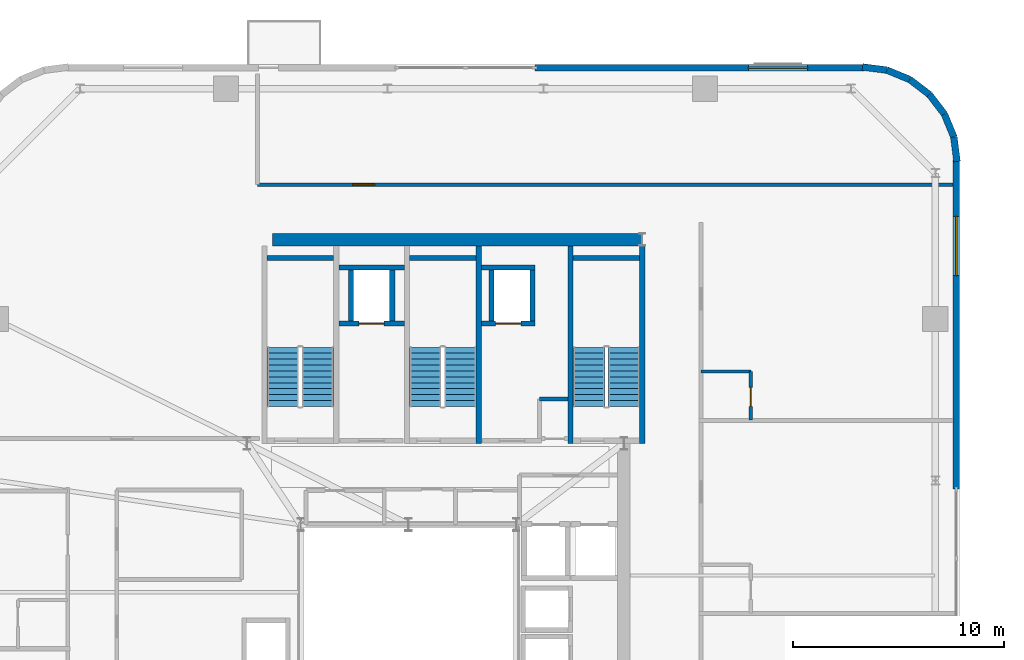
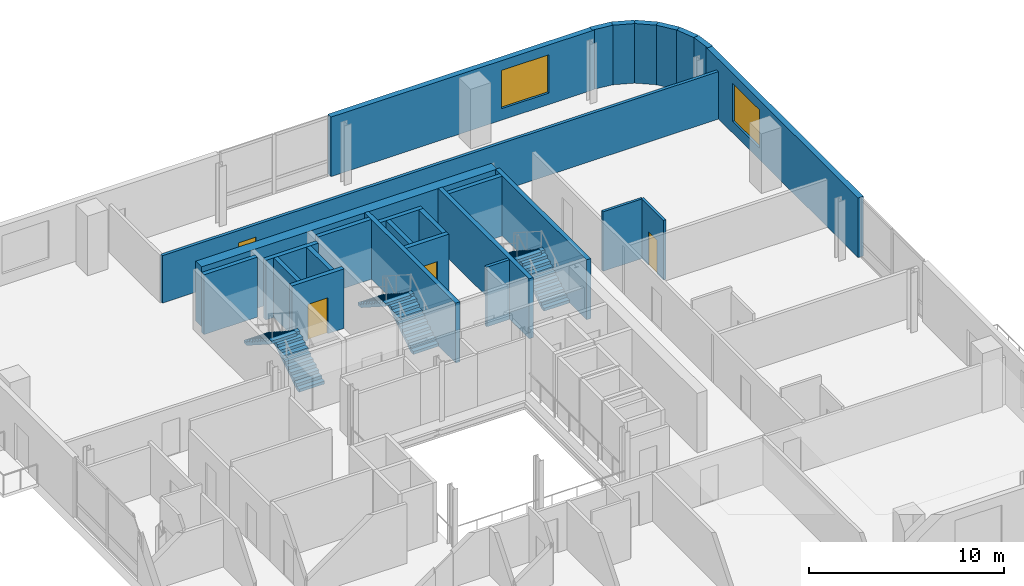
# One storey, part 11 of 15: 27 walls, 6 stair flights, 4 doors, 2 windows, 6 openings, 3 elements without a shape of their own.
"""IFC4 building model written with IfcOpenShell, lengths in metres."""

from ifc_helpers import new_model, si_unit, direction, frame, frame_2d, origin, place, context, subcontext, project, spatial, polyline, rectangle, outline, extrude, source, transform, mapped, material, layer, layer_set, type_object, element, fill, aggregate, save


model = new_model("IFC4")

# Units and contexts
model_context = context("Model", 3, precision=1e-05, world=origin(), true_north=direction((0.0, 1.0)))
body_context = subcontext(model_context, "Body", "Model", "MODEL_VIEW")
ifc_project = project(units=[si_unit("LENGTHUNIT", "METRE"), si_unit("AREAUNIT", "SQUARE_METRE"), si_unit("VOLUMEUNIT", "CUBIC_METRE"), si_unit("PLANEANGLEUNIT", "RADIAN"), si_unit("MASSUNIT", "GRAM", prefix="KILO")], contexts=[model_context])

# Site, building, storey
site_placement = place(None, origin())
site = spatial("IfcSite", under=ifc_project, at=site_placement, CompositionType="ELEMENT")
building_placement = place(site_placement, origin())
building = spatial("IfcBuilding", under=site, at=building_placement, Name="Vardaveli Station Tower", CompositionType="ELEMENT")
storey_placement = place(building_placement, frame((0.0, 0.0, 242.699951171875)))
storey = spatial("IfcBuildingStorey", under=building, at=storey_placement, Name="L62", CompositionType="ELEMENT", Elevation=242.699951171875)

# Wall
ifc_material_1 = material(Name="Concrete C50/60", Category="concrete")
ifc_layer_1 = layer(ifc_material_1, 0.60009765625, Name="Concrete C50/60")
ifc_layer_set_1 = layer_set([ifc_layer_1], Name="Concrete C50/60")
wall_type_1 = type_object("IfcWallType", Name="WAL-CORE-600", PredefinedType="SHEAR", material=ifc_layer_set_1)
shared_shape_1 = source(origin(), body_context, "Body", "SweptSolid", [
    extrude(rectangle(XDim=17.52001953125, YDim=0.60009765625, at=frame_2d((8.760009765625, 0.0))), origin(), (0.0, 0.0, 1.0), 3.72998046875),
])
wall_1_placement = place(storey_placement, frame((29.85009765625, 40.300048828125, 0.0), z_axis=(0.0, 0.0, 1.0), x_axis=(1.0, 0.0, 0.0)))
element("IfcWall", 1, at=wall_1_placement, inside=storey, type_object=wall_type_1, Name="SW-L62-NORTH", PredefinedType="SHEAR", context=body_context, shape_type="MappedRepresentation", body=[
    mapped(shared_shape_1, transform((0.0, 0.0, 0.0), scale=1.0)),
])

# Wall, opening, window
ifc_material_2 = material(Name="Precast concrete C45/55", Category="concrete")
ifc_layer_2 = layer(ifc_material_2, 0.320068359375, Name="Precast concrete C45/55")
ifc_layer_set_2 = layer_set([ifc_layer_2], Name="Precast concrete C45/55")
wall_type_2 = type_object("IfcWallType", Name="WAL-EXT-STONE-320", PredefinedType="SOLIDWALL", material=ifc_layer_set_2)
shared_shape_2 = source(origin(), body_context, "Body", "SweptSolid", [
    extrude(rectangle(XDim=15.599853515625, YDim=0.320068359375, at=frame_2d((7.7998046875, 0.0))), origin(), (0.0, 0.0, 1.0), 3.72998046875),
])
wall_2_placement = place(storey_placement, frame((57.89990234375, 48.43994140625, 0.0), z_axis=(0.0, 0.0, 1.0), x_axis=(-1.0, 0.0, 0.0)))
wall_2 = element("IfcWall", 2, at=wall_2_placement, inside=storey, type_object=wall_type_2, Name="EW-L62-N1", PredefinedType="SOLIDWALL", context=body_context, shape_type="MappedRepresentation", body=[
    mapped(shared_shape_2, transform((0.0, 0.0, 0.0), scale=1.0)),
])
shared_shape_3 = source(origin(), body_context, "Body", "SweptSolid", [
    extrude(rectangle(XDim=2.800048828125, YDim=2.39990234375, at=frame_2d((1.39990234375, 1.199951171875))), frame((0.0, 0.169921875, 0.0), z_axis=(0.0, -1.0, 0.0), x_axis=(1.0, 0.0, 0.0)), (0.0, 0.0, 1.0), 0.340087890625),
])
opening_1_placement = place(wall_2_placement, frame((2.705078125, 0.0, 0.719970703125)))
opening_1 = element("IfcOpeningElement", 3, at=opening_1_placement, cuts=wall_2, Name="Opening W-04", PredefinedType="OPENING", context=body_context, shape_type="MappedRepresentation", body=[
    mapped(shared_shape_3, transform((0.0, 0.0, 0.0), scale=1.0)),
])
ifc_material_3 = material(Name="Low-E solar-control glass", Category="glass")
window_type = type_object("IfcWindowType", Name="WIN-SUITE-2800x2400", PartitioningType="SINGLE_PANEL", PredefinedType="WINDOW", material=ifc_material_3)
shared_shape_4 = source(origin(), body_context, "Body", "SweptSolid", [
    extrude(rectangle(XDim=2.800048828125, YDim=2.39990234375, at=frame_2d((1.39990234375, 1.199951171875))), frame((0.0, 0.030029296875, 0.0), z_axis=(0.0, -1.0, 0.0), x_axis=(1.0, 0.0, 0.0)), (0.0, 0.0, 1.0), 0.06005859375),
])
window_1_placement = place(opening_1_placement, origin())
window_1 = element("IfcWindow", 4, at=window_1_placement, inside=storey, type_object=window_type, Name="WN-L62-N1", OverallHeight=2.39990234375, OverallWidth=2.800048828125, PartitioningType="SINGLE_PANEL", PredefinedType="WINDOW", context=body_context, shape_type="MappedRepresentation", body=[
    mapped(shared_shape_4, transform((0.0, 0.0, 0.0), scale=1.0)),
])
fill(opening_1, window_1)

shared_shape_5 = source(origin(), body_context, "Body", "SweptSolid", [
    extrude(rectangle(XDim=15.60009765625, YDim=0.320068359375, at=frame_2d((7.800048828125, 0.0))), origin(), (0.0, 0.0, 1.0), 3.72998046875),
])
wall_3_placement = place(storey_placement, frame((62.239990234375, 28.5, 0.0), z_axis=(0.0, 0.0, 1.0), x_axis=(0.0, 1.0, 0.0)))
wall_3 = element("IfcWall", 5, at=wall_3_placement, inside=storey, type_object=wall_type_2, Name="EW-L62-E2", PredefinedType="SOLIDWALL", context=body_context, shape_type="MappedRepresentation", body=[
    mapped(shared_shape_5, transform((0.0, 0.0, 0.0), scale=1.0)),
])
opening_2_placement = place(wall_3_placement, frame((10.094970703125, 0.0, 0.719970703125)))
opening_2 = element("IfcOpeningElement", 6, at=opening_2_placement, cuts=wall_3, Name="Opening W-04", PredefinedType="OPENING", context=body_context, shape_type="MappedRepresentation", body=[
    mapped(shared_shape_3, transform((0.0, 0.0, 0.0), scale=1.0)),
])
window_2_placement = place(opening_2_placement, origin())
window_2 = element("IfcWindow", 7, at=window_2_placement, inside=storey, type_object=window_type, Name="WN-L62-E2", OverallHeight=2.39990234375, OverallWidth=2.800048828125, PartitioningType="SINGLE_PANEL", PredefinedType="WINDOW", context=body_context, shape_type="MappedRepresentation", body=[
    mapped(shared_shape_4, transform((0.0, 0.0, 0.0), scale=1.0)),
])
fill(opening_2, window_2)

# Walls
shared_shape_6 = source(origin(), body_context, "Body", "SweptSolid", [
    extrude(rectangle(XDim=1.1689453125, YDim=0.320068359375, at=frame_2d((0.58447265625, 0.0))), origin(), (0.0, 0.0, 1.0), 3.72998046875),
])
wall_4_placement = place(storey_placement, frame((61.679931640625, 46.2412109375, 0.0), z_axis=(0.0, 0.0, 1.0), x_axis=(-0.608387696831, 0.793639975269, 0.0)))
element("IfcWall", 8, at=wall_4_placement, inside=storey, type_object=wall_type_2, Name="EW-L62-CR3-3", PredefinedType="SOLIDWALL", context=body_context, shape_type="MappedRepresentation", body=[
    mapped(shared_shape_6, transform((0.0, 0.0, 0.0), scale=1.0)),
])
shared_shape_7 = source(origin(), body_context, "Body", "SweptSolid", [
    extrude(rectangle(XDim=1.168701171875, YDim=0.320068359375, at=frame_2d((0.58447265625, 0.0))), origin(), (0.0, 0.0, 1.0), 3.72998046875),
])
wall_5_placement = place(storey_placement, frame((60.96875, 47.1689453125, 0.0), z_axis=(0.0, 0.0, 1.0), x_axis=(-0.793663520347, 0.608356981114, 0.0)))
element("IfcWall", 9, at=wall_5_placement, inside=storey, type_object=wall_type_2, Name="EW-L62-CR3-4", PredefinedType="SOLIDWALL", context=body_context, shape_type="MappedRepresentation", body=[
    mapped(shared_shape_7, transform((0.0, 0.0, 0.0), scale=1.0)),
])
shared_shape_8 = source(origin(), body_context, "Body", "SweptSolid", [
    extrude(rectangle(XDim=1.17041015625, YDim=0.320068359375, at=frame_2d((0.585205078125, 0.0))), origin(), (0.0, 0.0, 1.0), 3.72998046875),
])
for number, where, z_axis, x_axis, name in (
    (10, (62.275634765625, 43.99951171875, 0.0), (0.0, 0.0, 1.0), (-0.128295670475, 0.991735963317, 0.0), "EW-L62-CR3-1"),
    (11, (58.960205078125, 48.325439453125, 0.0), (0.0, 0.0, 1.0), (-0.991735963317, 0.128295670475, 0.0), "EW-L62-CR3-6"),
):
    element("IfcWall", number, at=place(storey_placement, frame(where, z_axis=z_axis, x_axis=x_axis)), inside=storey, type_object=wall_type_2, Name=name, PredefinedType="SOLIDWALL", context=body_context, shape_type="MappedRepresentation", body=[
        mapped(shared_shape_8, transform((0.0, 0.0, 0.0), scale=1.0)),
    ])
shared_shape_9 = source(origin(), body_context, "Body", "SweptSolid", [
    extrude(rectangle(XDim=1.169189453125, YDim=0.320068359375, at=frame_2d((0.58447265625, 0.0))), origin(), (0.0, 0.0, 1.0), 3.72998046875),
])
for number, where, z_axis, x_axis, name in (
    (12, (62.12548828125, 45.16015625, 0.0), (0.0, 0.0, 1.0), (-0.381054331552, 0.924552646638, 0.0), "EW-L62-CR3-2"),
    (13, (60.041259765625, 47.8798828125, 0.0), (0.0, 0.0, 1.0), (-0.924552646638, 0.381054331552, 0.0), "EW-L62-CR3-5"),
):
    element("IfcWall", number, at=place(storey_placement, frame(where, z_axis=z_axis, x_axis=x_axis)), inside=storey, type_object=wall_type_2, Name=name, PredefinedType="SOLIDWALL", context=body_context, shape_type="MappedRepresentation", body=[
        mapped(shared_shape_9, transform((0.0, 0.0, 0.0), scale=1.0)),
    ])
ifc_material_4 = material(Name="Concrete C40/50", Category="concrete")
ifc_layer_3 = layer(ifc_material_4, 0.25, Name="Concrete C40/50")
ifc_layer_set_3 = layer_set([ifc_layer_3], Name="Concrete C40/50")
wall_type_3 = type_object("IfcWallType", Name="WAL-SHAFT-250", PredefinedType="SOLIDWALL", material=ifc_layer_set_3)
shared_shape_10 = source(origin(), body_context, "Body", "SweptSolid", [
    extrude(rectangle(XDim=9.35009765625, YDim=0.25, at=frame_2d((4.675048828125, 0.0))), origin(), (0.0, 0.0, 1.0), 3.75),
])
for number, where, z_axis, x_axis, name in (
    (14, (39.625, 30.64990234375, 0.0), (0.0, 0.0, 1.0), (0.0, 1.0, 0.0), "W-L62-ST-2E"),
    (15, (43.97509765625, 30.64990234375, 0.0), (0.0, 0.0, 1.0), (0.0, 1.0, 0.0), "W-L62-ST-3W"),
    (16, (47.375, 30.64990234375, 0.0), (0.0, 0.0, 1.0), (0.0, 1.0, 0.0), "W-L62-ST-3E"),
):
    element("IfcWall", number, at=place(storey_placement, frame(where, z_axis=z_axis, x_axis=x_axis)), inside=storey, type_object=wall_type_3, Name=name, PredefinedType="SOLIDWALL", context=body_context, shape_type="MappedRepresentation", body=[
        mapped(shared_shape_10, transform((0.0, 0.0, 0.0), scale=1.0)),
    ])
shared_shape_11 = source(origin(), body_context, "Body", "SweptSolid", [
    extrude(rectangle(XDim=3.14990234375, YDim=0.25, at=frame_2d((1.574951171875, 0.0))), origin(), (0.0, 0.0, 1.0), 3.75),
])
for number, where, z_axis, x_axis, name in (
    (17, (29.60009765625, 39.425048828125, 0.0), (0.0, 0.0, 1.0), (1.0, 0.0, 0.0), "W-L62-ST-1N"),
    (18, (36.35009765625, 39.425048828125, 0.0), (0.0, 0.0, 1.0), (1.0, 0.0, 0.0), "W-L62-ST-2N"),
    (19, (44.10009765625, 39.425048828125, 0.0), (0.0, 0.0, 1.0), (1.0, 0.0, 0.0), "W-L62-ST-3N"),
):
    element("IfcWall", number, at=place(storey_placement, frame(where, z_axis=z_axis, x_axis=x_axis)), inside=storey, type_object=wall_type_3, Name=name, PredefinedType="SOLIDWALL", context=body_context, shape_type="MappedRepresentation", body=[
        mapped(shared_shape_11, transform((0.0, 0.0, 0.0), scale=1.0)),
    ])

# Wall, opening, door
shared_shape_12 = source(origin(), body_context, "Body", "SweptSolid", [
    extrude(rectangle(XDim=3.10009765625, YDim=0.25, at=frame_2d((1.550048828125, 0.0))), origin(), (0.0, 0.0, 1.0), 3.72998046875),
])
wall_6_placement = place(storey_placement, frame((33.0, 36.324951171875, 0.0), z_axis=(0.0, 0.0, 1.0), x_axis=(1.0, 0.0, 0.0)))
wall_6 = element("IfcWall", 20, at=wall_6_placement, inside=storey, type_object=wall_type_3, Name="SHW-FFL-01-L62-S", PredefinedType="SOLIDWALL", context=body_context, shape_type="MappedRepresentation", body=[
    mapped(shared_shape_12, transform((0.0, 0.0, 0.0), scale=1.0)),
])
shared_shape_13 = source(origin(), body_context, "Body", "SweptSolid", [
    extrude(rectangle(XDim=1.199951171875, YDim=2.25, at=frame_2d((0.60009765625, 1.125))), frame((0.0, 0.135009765625, 0.0), z_axis=(0.0, -1.0, 0.0), x_axis=(1.0, 0.0, 0.0)), (0.0, 0.0, 1.0), 0.27001953125),
])
opening_3_placement = place(wall_6_placement, frame((0.949951171875, 0.0, 0.0)))
opening_3 = element("IfcOpeningElement", 21, at=opening_3_placement, cuts=wall_6, Name="Opening LD-02", PredefinedType="OPENING", context=body_context, shape_type="MappedRepresentation", body=[
    mapped(shared_shape_13, transform((0.0, 0.0, 0.0), scale=1.0)),
])
ifc_material_5 = material(Name="Brushed stainless steel", Category="steel")
door_type_1 = type_object("IfcDoorType", Name="DR-LD-1200x2250", OperationType="DOUBLE_DOOR_SLIDING", PredefinedType="DOOR", material=ifc_material_5)
shared_shape_14 = source(origin(), body_context, "Body", "SweptSolid", [
    extrude(rectangle(XDim=1.199951171875, YDim=2.25, at=frame_2d((0.60009765625, 1.125))), frame((0.0, 0.02490234375, 0.0), z_axis=(0.0, -1.0, 0.0), x_axis=(1.0, 0.0, 0.0)), (0.0, 0.0, 1.0), 0.050048828125),
])
door_1_placement = place(opening_3_placement, origin())
door_1 = element("IfcDoor", 22, at=door_1_placement, inside=storey, type_object=door_type_1, Name="LD-FFL-01-L62", OperationType="DOUBLE_DOOR_SLIDING", OverallHeight=2.25, OverallWidth=1.199951171875, PredefinedType="DOOR", context=body_context, shape_type="MappedRepresentation", body=[
    mapped(shared_shape_14, transform((0.0, 0.0, 0.0), scale=1.0)),
])
fill(opening_3, door_1)

# Walls
wall_7_placement = place(storey_placement, frame((33.0, 38.97509765625, 0.0), z_axis=(0.0, 0.0, 1.0), x_axis=(1.0, 0.0, 0.0)))
element("IfcWall", 23, at=wall_7_placement, inside=storey, type_object=wall_type_3, Name="SHW-FFL-01-L62-N", PredefinedType="SOLIDWALL", context=body_context, shape_type="MappedRepresentation", body=[
    mapped(shared_shape_12, transform((0.0, 0.0, 0.0), scale=1.0)),
])
shared_shape_15 = source(origin(), body_context, "Body", "SweptSolid", [
    extrude(rectangle(XDim=2.400146484375, YDim=0.25, at=frame_2d((1.2001953125, 0.0))), origin(), (0.0, 0.0, 1.0), 3.72998046875),
])
for number, where, z_axis, x_axis, name in (
    (24, (33.574951171875, 36.449951171875, 0.0), (0.0, 0.0, 1.0), (0.0, 1.0, 0.0), "SHW-FFL-01-L62-W"),
    (25, (35.52490234375, 36.449951171875, 0.0), (0.0, 0.0, 1.0), (0.0, 1.0, 0.0), "SHW-FFL-01-L62-E"),
    (26, (40.22509765625, 36.449951171875, 0.0), (0.0, 0.0, 1.0), (0.0, 1.0, 0.0), "SHW-FFL-02-L62-W"),
    (27, (42.175048828125, 36.449951171875, 0.0), (0.0, 0.0, 1.0), (0.0, 1.0, 0.0), "SHW-FFL-02-L62-E"),
):
    element("IfcWall", number, at=place(storey_placement, frame(where, z_axis=z_axis, x_axis=x_axis)), inside=storey, type_object=wall_type_3, Name=name, PredefinedType="SOLIDWALL", context=body_context, shape_type="MappedRepresentation", body=[
        mapped(shared_shape_15, transform((0.0, 0.0, 0.0), scale=1.0)),
    ])

# Wall, opening, door
shared_shape_16 = source(origin(), body_context, "Body", "SweptSolid", [
    extrude(rectangle(XDim=2.550048828125, YDim=0.25, at=frame_2d((1.27490234375, 0.0))), origin(), (0.0, 0.0, 1.0), 3.72998046875),
])
wall_8_placement = place(storey_placement, frame((39.75, 36.324951171875, 0.0), z_axis=(0.0, 0.0, 1.0), x_axis=(1.0, 0.0, 0.0)))
wall_8 = element("IfcWall", 28, at=wall_8_placement, inside=storey, type_object=wall_type_3, Name="SHW-FFL-02-L62-S", PredefinedType="SOLIDWALL", context=body_context, shape_type="MappedRepresentation", body=[
    mapped(shared_shape_16, transform((0.0, 0.0, 0.0), scale=1.0)),
])
opening_4_placement = place(wall_8_placement, frame((0.675048828125, 0.0, 0.0)))
opening_4 = element("IfcOpeningElement", 29, at=opening_4_placement, cuts=wall_8, Name="Opening LD-02", PredefinedType="OPENING", context=body_context, shape_type="MappedRepresentation", body=[
    mapped(shared_shape_13, transform((0.0, 0.0, 0.0), scale=1.0)),
])
door_2_placement = place(opening_4_placement, origin())
door_2 = element("IfcDoor", 30, at=door_2_placement, inside=storey, type_object=door_type_1, Name="LD-FFL-02-L62", OperationType="DOUBLE_DOOR_SLIDING", OverallHeight=2.25, OverallWidth=1.199951171875, PredefinedType="DOOR", context=body_context, shape_type="MappedRepresentation", body=[
    mapped(shared_shape_14, transform((0.0, 0.0, 0.0), scale=1.0)),
])
fill(opening_4, door_2)

# Wall
wall_9_placement = place(storey_placement, frame((39.75, 38.97509765625, 0.0), z_axis=(0.0, 0.0, 1.0), x_axis=(1.0, 0.0, 0.0)))
element("IfcWall", 31, at=wall_9_placement, inside=storey, type_object=wall_type_3, Name="SHW-FFL-02-L62-N", PredefinedType="SOLIDWALL", context=body_context, shape_type="MappedRepresentation", body=[
    mapped(shared_shape_16, transform((0.0, 0.0, 0.0), scale=1.0)),
])

# Wall, opening, door
ifc_material_6 = material(Name="Fire-rated gypsum stud partition")
ifc_layer_4 = layer(ifc_material_6, 0.179931640625, Name="Fire-rated gypsum stud partition")
ifc_layer_set_4 = layer_set([ifc_layer_4], Name="Fire-rated gypsum stud partition")
wall_type_4 = type_object("IfcWallType", Name="WAL-CORR-180", PredefinedType="PARTITIONING", material=ifc_layer_set_4)
shared_shape_17 = source(origin(), body_context, "Body", "SweptSolid", [
    extrude(rectangle(XDim=32.927978515625, YDim=0.179931640625, at=frame_2d((16.4638671875, 0.0))), origin(), (0.0, 0.0, 1.0), 2.97216796875),
])
wall_10_placement = place(storey_placement, frame((29.14990234375, 42.89990234375, 0.0), z_axis=(0.0, 0.0, 1.0), x_axis=(1.0, 0.0, 0.0)))
wall_10 = element("IfcWall", 32, at=wall_10_placement, inside=storey, type_object=wall_type_4, Name="W-L62-NPS", PredefinedType="PARTITIONING", context=body_context, shape_type="MappedRepresentation", body=[
    mapped(shared_shape_17, transform((0.0, 0.0, 0.0), scale=1.0)),
])
shared_shape_18 = source(origin(), body_context, "Body", "SweptSolid", [
    extrude(rectangle(XDim=1.050048828125, YDim=2.199951171875, at=frame_2d((0.52490234375, 1.10009765625))), frame((0.0, 0.10009765625, 0.0), z_axis=(0.0, -1.0, 0.0), x_axis=(1.0, 0.0, 0.0)), (0.0, 0.0, 1.0), 0.199951171875),
])
opening_5_placement = place(wall_10_placement, frame((4.5, 0.0, 0.0)))
opening_5 = element("IfcOpeningElement", 33, at=opening_5_placement, cuts=wall_10, Name="Opening D-05", PredefinedType="OPENING", context=body_context, shape_type="MappedRepresentation", body=[
    mapped(shared_shape_18, transform((0.0, 0.0, 0.0), scale=1.0)),
])
ifc_material_7 = material(Name="Walnut veneer acoustic fire door")
door_type_2 = type_object("IfcDoorType", Name="DR-SUITE-1050x2200", OperationType="NOTDEFINED", PredefinedType="DOOR", material=ifc_material_7)
shared_shape_19 = source(origin(), body_context, "Body", "SweptSolid", [
    extrude(rectangle(XDim=1.050048828125, YDim=2.199951171875, at=frame_2d((0.52490234375, 1.10009765625))), frame((0.0, 0.02490234375, 0.0), z_axis=(0.0, -1.0, 0.0), x_axis=(1.0, 0.0, 0.0)), (0.0, 0.0, 1.0), 0.050048828125),
])
door_3_placement = place(opening_5_placement, origin())
door_3 = element("IfcDoor", 34, at=door_3_placement, inside=storey, type_object=door_type_2, Name="D-L62-NP1", OperationType="SINGLE_SWING_RIGHT", OverallHeight=2.199951171875, OverallWidth=1.050048828125, PredefinedType="DOOR", context=body_context, shape_type="MappedRepresentation", body=[
    mapped(shared_shape_19, transform((0.0, 0.0, 0.0), scale=1.0)),
])
fill(opening_5, door_3)

ifc_material_8 = material(Name="Moisture-resistant stud partition")
ifc_layer_5 = layer(ifc_material_8, 0.14990234375, Name="Moisture-resistant stud partition")
ifc_layer_set_5 = layer_set([ifc_layer_5], Name="Moisture-resistant stud partition")
wall_type_5 = type_object("IfcWallType", Name="WAL-WET-150", PredefinedType="PARTITIONING", material=ifc_layer_set_5)
shared_shape_20 = source(origin(), body_context, "Body", "SweptSolid", [
    extrude(rectangle(XDim=2.2900390625, YDim=0.14990234375, at=frame_2d((1.14501953125, 0.0))), origin(), (0.0, 0.0, 1.0), 3.72998046875),
])
wall_11_placement = place(storey_placement, frame((52.510009765625, 31.757080078125, 0.0), z_axis=(0.0, 0.0, 1.0), x_axis=(0.0, 1.0, 0.0)))
wall_11 = element("IfcWall", 35, at=wall_11_placement, inside=storey, type_object=wall_type_5, Name="W-L62-BE3-E", PredefinedType="PARTITIONING", context=body_context, shape_type="MappedRepresentation", body=[
    mapped(shared_shape_20, transform((0.0, 0.0, 0.0), scale=1.0)),
])
shared_shape_21 = source(origin(), body_context, "Body", "SweptSolid", [
    extrude(rectangle(XDim=0.89990234375, YDim=2.10009765625, at=frame_2d((0.449951171875, 1.050048828125))), frame((0.0, 0.0849609375, 0.0), z_axis=(0.0, -1.0, 0.0), x_axis=(1.0, 0.0, 0.0)), (0.0, 0.0, 1.0), 0.169921875),
])
opening_6_placement = place(wall_11_placement, frame((0.64990234375, 0.0, 0.0)))
opening_6 = element("IfcOpeningElement", 36, at=opening_6_placement, cuts=wall_11, Name="Opening D-08", PredefinedType="OPENING", context=body_context, shape_type="MappedRepresentation", body=[
    mapped(shared_shape_21, transform((0.0, 0.0, 0.0), scale=1.0)),
])
ifc_material_9 = material(Name="Moisture-resistant oak door")
door_type_3 = type_object("IfcDoorType", Name="DR-BATH-900x2100", OperationType="NOTDEFINED", PredefinedType="DOOR", material=ifc_material_9)
shared_shape_22 = source(origin(), body_context, "Body", "SweptSolid", [
    extrude(rectangle(XDim=0.89990234375, YDim=2.10009765625, at=frame_2d((0.449951171875, 1.050048828125))), frame((0.0, 0.02490234375, 0.0), z_axis=(0.0, -1.0, 0.0), x_axis=(1.0, 0.0, 0.0)), (0.0, 0.0, 1.0), 0.050048828125),
])
door_4_placement = place(opening_6_placement, origin())
door_4 = element("IfcDoor", 37, at=door_4_placement, inside=storey, type_object=door_type_3, Name="D-L62-BE3", OperationType="SINGLE_SWING_LEFT", OverallHeight=2.10009765625, OverallWidth=0.89990234375, PredefinedType="DOOR", context=body_context, shape_type="MappedRepresentation", body=[
    mapped(shared_shape_22, transform((0.0, 0.0, 0.0), scale=1.0)),
])
fill(opening_6, door_4)

# Walls
shared_shape_23 = source(origin(), body_context, "Body", "SweptSolid", [
    extrude(rectangle(XDim=2.360107421875, YDim=0.14990234375, at=frame_2d((1.18017578125, 0.0))), origin(), (0.0, 0.0, 1.0), 3.72998046875),
])
wall_12_placement = place(storey_placement, frame((50.14990234375, 34.047119140625, 0.0), z_axis=(0.0, 0.0, 1.0), x_axis=(1.0, 0.0, 0.0)))
element("IfcWall", 38, at=wall_12_placement, inside=storey, type_object=wall_type_5, Name="W-L62-BE3-N", PredefinedType="PARTITIONING", context=body_context, shape_type="MappedRepresentation", body=[
    mapped(shared_shape_23, transform((0.0, 0.0, 0.0), scale=1.0)),
])
shared_shape_24 = source(origin(), body_context, "Body", "SweptSolid", [
    extrude(rectangle(XDim=1.347900390625, YDim=0.179931640625, at=frame_2d((0.673828125, 0.0))), origin(), (0.0, 0.0, 1.0), 3.72998046875),
])
wall_13_placement = place(storey_placement, frame((42.5, 32.75, 0.0), z_axis=(0.0, 0.0, 1.0), x_axis=(1.0, 0.0, 0.0)))
element("IfcWall", 39, at=wall_13_placement, inside=storey, type_object=wall_type_4, Name="W-L62-CBS2A-N", PredefinedType="PARTITIONING", context=body_context, shape_type="MappedRepresentation", body=[
    mapped(shared_shape_24, transform((0.0, 0.0, 0.0), scale=1.0)),
])

# Stair, stair flights
stair_type = type_object("IfcStairType", Name="STR-CORE-1500", PredefinedType="HALF_TURN_STAIR", material=ifc_material_4)
stair_1_placement = place(storey_placement, origin())
stair_1 = element("IfcStair", 40, at=stair_1_placement, inside=storey, type_object=stair_type, Name="L62 ST-1", PredefinedType="HALF_TURN_STAIR")
stair_flight_type = type_object("IfcStairFlightType", Name="SFL-CORE-1500", PredefinedType="STRAIGHT", material=ifc_material_4)
shared_shape_25 = source(origin(), body_context, "Body", "SweptSolid", [
    extrude(outline(polyline([(0.0, 0.0), (0.0, 0.179443359375), (0.280029296875, 0.179443359375), (0.280029296875, 0.359130859375), (0.56005859375, 0.359130859375), (0.56005859375, 0.53857421875), (0.840087890625, 0.53857421875), (0.840087890625, 0.71826171875), (1.1201171875, 0.71826171875), (1.1201171875, 0.897705078125), (1.39990234375, 0.897705078125), (1.39990234375, 1.077392578125), (1.679931640625, 1.077392578125), (1.679931640625, 1.2568359375), (1.9599609375, 1.2568359375), (1.9599609375, 1.436279296875), (2.239990234375, 1.436279296875), (2.239990234375, 1.615966796875), (2.52001953125, 1.615966796875), (2.52001953125, 1.79541015625), (2.800048828125, 1.79541015625), (2.800048828125, 1.97509765625), (2.800048828125, 1.617431640625), (0.277587890625, 0.0), (0.0, 0.0)])), frame((0.0, 0.75, 0.0), z_axis=(0.0, -1.0, 0.0), x_axis=(1.0, 0.0, 0.0)), (0.0, 0.0, 1.0), 1.5),
])
stair_flight_1_placement = place(storey_placement, frame((32.0, 32.39990234375, 0.0), z_axis=(0.0, 0.0, 1.0), x_axis=(0.0, 1.0, 0.0)))
stair_flight_1 = element("IfcStairFlight", 41, at=stair_flight_1_placement, type_object=stair_flight_type, Name="ST-1 flight 1", NumberOfRisers=11, NumberOfTreads=10, PredefinedType="STRAIGHT", RiserHeight=0.179545455, TreadLength=0.28, context=body_context, shape_type="MappedRepresentation", body=[
    mapped(shared_shape_25, transform((0.0, 0.0, 0.0), scale=1.0)),
])
stair_flight_2_placement = place(storey_placement, frame((30.35009765625, 35.199951171875, 1.97509765625), z_axis=(0.0, 0.0, 1.0), x_axis=(0.0, -1.0, 0.0)))
stair_flight_2 = element("IfcStairFlight", 42, at=stair_flight_2_placement, type_object=stair_flight_type, Name="ST-1 flight 2", NumberOfRisers=11, NumberOfTreads=10, PredefinedType="STRAIGHT", RiserHeight=0.179545455, TreadLength=0.28, context=body_context, shape_type="MappedRepresentation", body=[
    mapped(shared_shape_25, transform((0.0, 0.0, 0.0), scale=1.0)),
])
aggregate(stair_1, [stair_flight_1, stair_flight_2])

stair_2_placement = place(storey_placement, origin())
stair_2 = element("IfcStair", 43, at=stair_2_placement, inside=storey, type_object=stair_type, Name="L62 ST-2", PredefinedType="HALF_TURN_STAIR")
stair_flight_3_placement = place(storey_placement, frame((38.75, 32.39990234375, 0.0), z_axis=(0.0, 0.0, 1.0), x_axis=(0.0, 1.0, 0.0)))
stair_flight_3 = element("IfcStairFlight", 44, at=stair_flight_3_placement, type_object=stair_flight_type, Name="ST-2 flight 1", NumberOfRisers=11, NumberOfTreads=10, PredefinedType="STRAIGHT", RiserHeight=0.179545455, TreadLength=0.28, context=body_context, shape_type="MappedRepresentation", body=[
    mapped(shared_shape_25, transform((0.0, 0.0, 0.0), scale=1.0)),
])
stair_flight_4_placement = place(storey_placement, frame((37.10009765625, 35.199951171875, 1.97509765625), z_axis=(0.0, 0.0, 1.0), x_axis=(0.0, -1.0, 0.0)))
stair_flight_4 = element("IfcStairFlight", 45, at=stair_flight_4_placement, type_object=stair_flight_type, Name="ST-2 flight 2", NumberOfRisers=11, NumberOfTreads=10, PredefinedType="STRAIGHT", RiserHeight=0.179545455, TreadLength=0.28, context=body_context, shape_type="MappedRepresentation", body=[
    mapped(shared_shape_25, transform((0.0, 0.0, 0.0), scale=1.0)),
])
aggregate(stair_2, [stair_flight_3, stair_flight_4])

stair_3_placement = place(storey_placement, origin())
stair_3 = element("IfcStair", 46, at=stair_3_placement, inside=storey, type_object=stair_type, Name="L62 ST-3", PredefinedType="HALF_TURN_STAIR")
stair_flight_5_placement = place(storey_placement, frame((46.5, 32.39990234375, 0.0), z_axis=(0.0, 0.0, 1.0), x_axis=(0.0, 1.0, 0.0)))
stair_flight_5 = element("IfcStairFlight", 47, at=stair_flight_5_placement, type_object=stair_flight_type, Name="ST-3 flight 1", NumberOfRisers=11, NumberOfTreads=10, PredefinedType="STRAIGHT", RiserHeight=0.179545455, TreadLength=0.28, context=body_context, shape_type="MappedRepresentation", body=[
    mapped(shared_shape_25, transform((0.0, 0.0, 0.0), scale=1.0)),
])
stair_flight_6_placement = place(storey_placement, frame((44.85009765625, 35.199951171875, 1.97509765625), z_axis=(0.0, 0.0, 1.0), x_axis=(0.0, -1.0, 0.0)))
stair_flight_6 = element("IfcStairFlight", 48, at=stair_flight_6_placement, type_object=stair_flight_type, Name="ST-3 flight 2", NumberOfRisers=11, NumberOfTreads=10, PredefinedType="STRAIGHT", RiserHeight=0.179545455, TreadLength=0.28, context=body_context, shape_type="MappedRepresentation", body=[
    mapped(shared_shape_25, transform((0.0, 0.0, 0.0), scale=1.0)),
])
aggregate(stair_3, [stair_flight_5, stair_flight_6])

save(model, "model.ifc")
